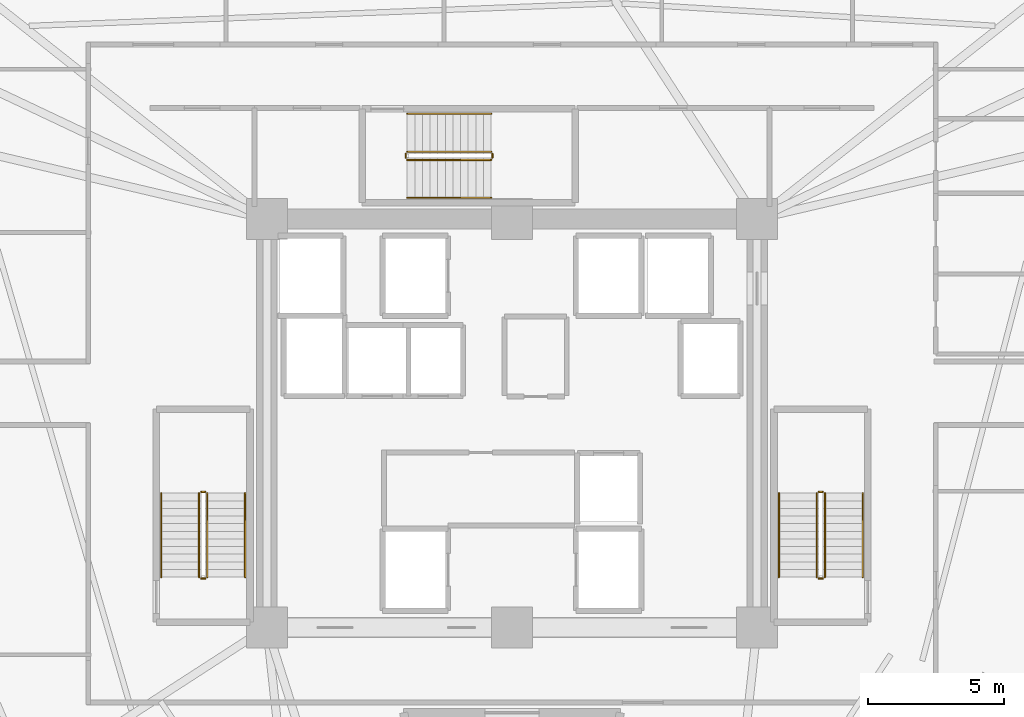
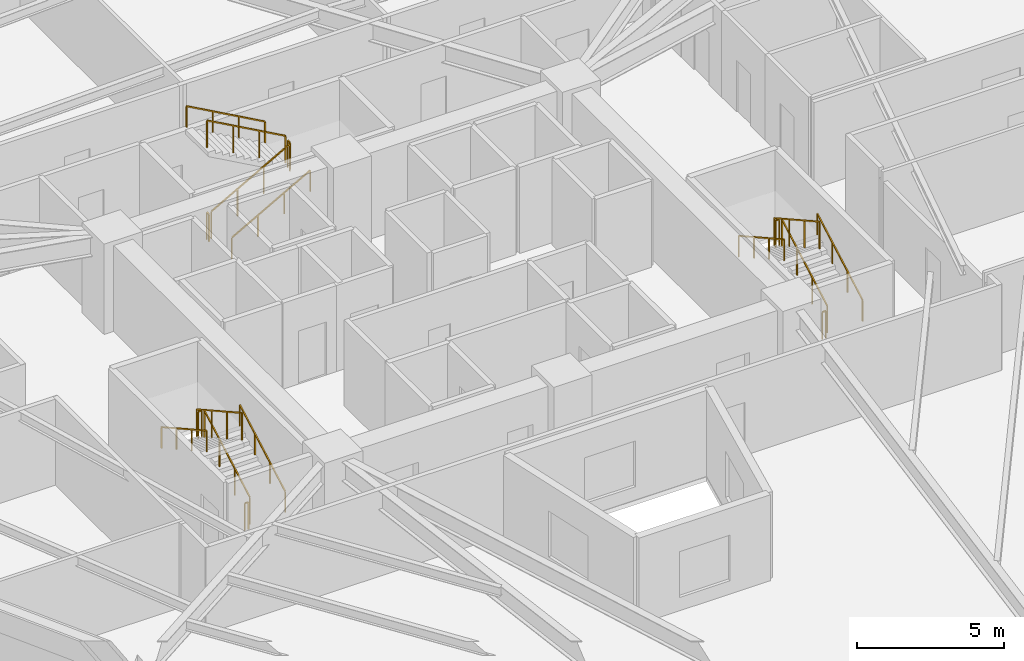
# One storey, part 8 of 8: 18 railings.
"""IFC4 building model written with IfcOpenShell, lengths in metres."""

from ifc_helpers import new_model, si_unit, direction, frame, origin, origin_2d, place, context, subcontext, project, spatial, rectangle, extrude, material, type_object, element, save


model = new_model("IFC4")

# Units and contexts
model_context = context("Model", 3, precision=1e-05, world=origin(), true_north=direction((0.0, 1.0)))
body_context = subcontext(model_context, "Body", "Model", "MODEL_VIEW")
ifc_project = project(units=[si_unit("LENGTHUNIT", "METRE"), si_unit("AREAUNIT", "SQUARE_METRE"), si_unit("VOLUMEUNIT", "CUBIC_METRE"), si_unit("PLANEANGLEUNIT", "RADIAN"), si_unit("MASSUNIT", "GRAM", prefix="KILO")], contexts=[model_context])

# Site, building, storey
site_placement = place(None, origin())
site = spatial("IfcSite", under=ifc_project, at=site_placement, CompositionType="ELEMENT")
building_placement = place(site_placement, origin())
building = spatial("IfcBuilding", under=site, at=building_placement, Name="Liaohun Quay Tower", CompositionType="ELEMENT")
storey_placement = place(building_placement, frame((0.0, 0.0, 155.25)))
storey = spatial("IfcBuildingStorey", under=building, at=storey_placement, Name="L40", CompositionType="ELEMENT", Elevation=155.25)

# Railings
ifc_material_1 = material(Name="Painted tubular steel", Category="steel")
railing_type_1 = type_object("IfcRailingType", Name="RLG-GUARD-STR", PredefinedType="GUARDRAIL", material=ifc_material_1)
railing_1_placement = place(storey_placement, frame((48.81005859375, 48.35009765625, 0.15625)))
element("IfcRailing", 1, at=railing_1_placement, inside=storey, type_object=railing_type_1, Name="L40 ST-1 stair guard 1", PredefinedType="GUARDRAIL", context=body_context, shape_type="SweptSolid", body=[
    extrude(rectangle(XDim=0.048095703125, YDim=0.048095703125, at=origin_2d()), frame((0.0, 0.0, 1.1259765625), z_axis=(0.0, 0.873225103656, 0.487317061414), x_axis=(-1.0, 0.0, 0.0)), (0.0, 0.0, 1.0), 3.52685546875),
    extrude(rectangle(XDim=0.0419921875, YDim=0.0419921875, at=origin_2d()), origin(), (0.0, 0.0, 1.0), 1.101806640625),
    extrude(rectangle(XDim=0.0419921875, YDim=0.0419921875, at=origin_2d()), frame((0.0, 1.026611328125, 0.572998046875)), (0.0, 0.0, 1.0), 1.101806640625),
    extrude(rectangle(XDim=0.0419921875, YDim=0.0419921875, at=origin_2d()), frame((0.0, 2.05322265625, 1.145751953125)), (0.0, 0.0, 1.0), 1.101806640625),
    extrude(rectangle(XDim=0.0419921875, YDim=0.0419921875, at=origin_2d()), frame((0.0, 3.079833984375, 1.71875)), (0.0, 0.0, 1.0), 1.101806640625),
])
railing_2_placement = place(storey_placement, frame((48.72998046875, 51.47998046875, 1.875)))
element("IfcRailing", 2, at=railing_2_placement, inside=storey, type_object=railing_type_1, Name="L40 ST-1 stair guard 2", PredefinedType="GUARDRAIL", context=body_context, shape_type="SweptSolid", body=[
    extrude(rectangle(XDim=0.048095703125, YDim=0.048095703125, at=origin_2d()), frame((0.0, 0.0, 1.1259765625), z_axis=(-1.0, 0.0, 0.0), x_axis=(0.0, -1.0, 0.0)), (0.0, 0.0, 1.0), 0.139892578125),
    extrude(rectangle(XDim=0.0419921875, YDim=0.0419921875, at=origin_2d()), origin(), (0.0, 0.0, 1.0), 1.101806640625),
    extrude(rectangle(XDim=0.0419921875, YDim=0.0419921875, at=origin_2d()), frame((-0.139892578125, 0.0, 0.0)), (0.0, 0.0, 1.0), 1.101806640625),
])
railing_3_placement = place(storey_placement, frame((48.510009765625, 51.429931640625, 2.03125)))
element("IfcRailing", 3, at=railing_3_placement, inside=storey, type_object=railing_type_1, Name="L40 ST-1 stair guard 3", PredefinedType="GUARDRAIL", context=body_context, shape_type="SweptSolid", body=[
    extrude(rectangle(XDim=0.048095703125, YDim=0.048095703125, at=origin_2d()), frame((0.0, 0.0, 1.1259765625), z_axis=(0.0, -0.873225103656, 0.487317061414), x_axis=(1.0, 0.0, 0.0)), (0.0, 0.0, 1.0), 3.52685546875),
    extrude(rectangle(XDim=0.0419921875, YDim=0.0419921875, at=origin_2d()), origin(), (0.0, 0.0, 1.0), 1.101806640625),
    extrude(rectangle(XDim=0.0419921875, YDim=0.0419921875, at=origin_2d()), frame((0.0, -1.026611328125, 0.572998046875)), (0.0, 0.0, 1.0), 1.101806640625),
    extrude(rectangle(XDim=0.0419921875, YDim=0.0419921875, at=origin_2d()), frame((0.0, -2.05322265625, 1.145751953125)), (0.0, 0.0, 1.0), 1.101806640625),
    extrude(rectangle(XDim=0.0419921875, YDim=0.0419921875, at=origin_2d()), frame((0.0, -3.079833984375, 1.71875)), (0.0, 0.0, 1.0), 1.101806640625),
])
railing_4_placement = place(storey_placement, frame((48.72998046875, 48.300048828125, 0.0)))
element("IfcRailing", 4, at=railing_4_placement, inside=storey, type_object=railing_type_1, Name="L40 ST-1 stair guard 4", PredefinedType="GUARDRAIL", context=body_context, shape_type="SweptSolid", body=[
    extrude(rectangle(XDim=0.048095703125, YDim=0.048095703125, at=origin_2d()), frame((0.0, 0.0, 1.1259765625), z_axis=(-1.0, 0.0, 0.0), x_axis=(0.0, -1.0, 0.0)), (0.0, 0.0, 1.0), 0.139892578125),
    extrude(rectangle(XDim=0.0419921875, YDim=0.0419921875, at=origin_2d()), origin(), (0.0, 0.0, 1.0), 1.101806640625),
    extrude(rectangle(XDim=0.0419921875, YDim=0.0419921875, at=origin_2d()), frame((-0.139892578125, 0.0, 0.0)), (0.0, 0.0, 1.0), 1.101806640625),
])
railing_5_placement = place(storey_placement, frame((71.489990234375, 48.35009765625, 0.15625)))
element("IfcRailing", 5, at=railing_5_placement, inside=storey, type_object=railing_type_1, Name="L40 ST-2 stair guard 1", PredefinedType="GUARDRAIL", context=body_context, shape_type="SweptSolid", body=[
    extrude(rectangle(XDim=0.048095703125, YDim=0.048095703125, at=origin_2d()), frame((0.0, 0.0, 1.1259765625), z_axis=(0.0, 0.873225103656, 0.487317061414), x_axis=(-1.0, 0.0, 0.0)), (0.0, 0.0, 1.0), 3.52685546875),
    extrude(rectangle(XDim=0.0419921875, YDim=0.0419921875, at=origin_2d()), origin(), (0.0, 0.0, 1.0), 1.101806640625),
    extrude(rectangle(XDim=0.0419921875, YDim=0.0419921875, at=origin_2d()), frame((0.0, 1.026611328125, 0.572998046875)), (0.0, 0.0, 1.0), 1.101806640625),
    extrude(rectangle(XDim=0.0419921875, YDim=0.0419921875, at=origin_2d()), frame((0.0, 2.05322265625, 1.145751953125)), (0.0, 0.0, 1.0), 1.101806640625),
    extrude(rectangle(XDim=0.0419921875, YDim=0.0419921875, at=origin_2d()), frame((0.0, 3.079833984375, 1.71875)), (0.0, 0.0, 1.0), 1.101806640625),
])
railing_6_placement = place(storey_placement, frame((71.409912109375, 51.47998046875, 1.875)))
element("IfcRailing", 6, at=railing_6_placement, inside=storey, type_object=railing_type_1, Name="L40 ST-2 stair guard 2", PredefinedType="GUARDRAIL", context=body_context, shape_type="SweptSolid", body=[
    extrude(rectangle(XDim=0.048095703125, YDim=0.048095703125, at=origin_2d()), frame((0.0, 0.0, 1.1259765625), z_axis=(-1.0, 0.0, 0.0), x_axis=(0.0, -1.0, 0.0)), (0.0, 0.0, 1.0), 0.139892578125),
    extrude(rectangle(XDim=0.0419921875, YDim=0.0419921875, at=origin_2d()), origin(), (0.0, 0.0, 1.0), 1.101806640625),
    extrude(rectangle(XDim=0.0419921875, YDim=0.0419921875, at=origin_2d()), frame((-0.139892578125, 0.0, 0.0)), (0.0, 0.0, 1.0), 1.101806640625),
])
railing_7_placement = place(storey_placement, frame((71.18994140625, 51.429931640625, 2.03125)))
element("IfcRailing", 7, at=railing_7_placement, inside=storey, type_object=railing_type_1, Name="L40 ST-2 stair guard 3", PredefinedType="GUARDRAIL", context=body_context, shape_type="SweptSolid", body=[
    extrude(rectangle(XDim=0.048095703125, YDim=0.048095703125, at=origin_2d()), frame((0.0, 0.0, 1.1259765625), z_axis=(0.0, -0.873225103656, 0.487317061414), x_axis=(1.0, 0.0, 0.0)), (0.0, 0.0, 1.0), 3.52685546875),
    extrude(rectangle(XDim=0.0419921875, YDim=0.0419921875, at=origin_2d()), origin(), (0.0, 0.0, 1.0), 1.101806640625),
    extrude(rectangle(XDim=0.0419921875, YDim=0.0419921875, at=origin_2d()), frame((0.0, -1.026611328125, 0.572998046875)), (0.0, 0.0, 1.0), 1.101806640625),
    extrude(rectangle(XDim=0.0419921875, YDim=0.0419921875, at=origin_2d()), frame((0.0, -2.05322265625, 1.145751953125)), (0.0, 0.0, 1.0), 1.101806640625),
    extrude(rectangle(XDim=0.0419921875, YDim=0.0419921875, at=origin_2d()), frame((0.0, -3.079833984375, 1.71875)), (0.0, 0.0, 1.0), 1.101806640625),
])
railing_8_placement = place(storey_placement, frame((71.409912109375, 48.300048828125, 0.0)))
element("IfcRailing", 8, at=railing_8_placement, inside=storey, type_object=railing_type_1, Name="L40 ST-2 stair guard 4", PredefinedType="GUARDRAIL", context=body_context, shape_type="SweptSolid", body=[
    extrude(rectangle(XDim=0.048095703125, YDim=0.048095703125, at=origin_2d()), frame((0.0, 0.0, 1.1259765625), z_axis=(-1.0, 0.0, 0.0), x_axis=(0.0, -1.0, 0.0)), (0.0, 0.0, 1.0), 0.139892578125),
    extrude(rectangle(XDim=0.0419921875, YDim=0.0419921875, at=origin_2d()), origin(), (0.0, 0.0, 1.0), 1.101806640625),
    extrude(rectangle(XDim=0.0419921875, YDim=0.0419921875, at=origin_2d()), frame((-0.139892578125, 0.0, 0.0)), (0.0, 0.0, 1.0), 1.101806640625),
])
railing_9_placement = place(storey_placement, frame((56.14990234375, 63.669921875, 0.15625)))
element("IfcRailing", 9, at=railing_9_placement, inside=storey, type_object=railing_type_1, Name="L40 ST-3 stair guard 1", PredefinedType="GUARDRAIL", context=body_context, shape_type="SweptSolid", body=[
    extrude(rectangle(XDim=0.048095703125, YDim=0.048095703125, at=origin_2d()), frame((0.0, 0.0, 1.1259765625), z_axis=(0.873241540666, 0.0, 0.487287606713), x_axis=(0.0, 1.0, 0.0)), (0.0, 0.0, 1.0), 3.527099609375),
    extrude(rectangle(XDim=0.0419921875, YDim=0.0419921875, at=origin_2d()), origin(), (0.0, 0.0, 1.0), 1.101806640625),
    extrude(rectangle(XDim=0.0419921875, YDim=0.0419921875, at=origin_2d()), frame((1.026611328125, 0.0, 0.572998046875)), (0.0, 0.0, 1.0), 1.101806640625),
    extrude(rectangle(XDim=0.0419921875, YDim=0.0419921875, at=origin_2d()), frame((2.053466796875, 0.0, 1.145751953125)), (0.0, 0.0, 1.0), 1.101806640625),
    extrude(rectangle(XDim=0.0419921875, YDim=0.0419921875, at=origin_2d()), frame((3.080078125, 0.0, 1.71875)), (0.0, 0.0, 1.0), 1.101806640625),
])
railing_10_placement = place(storey_placement, frame((59.280029296875, 63.75, 1.875)))
element("IfcRailing", 10, at=railing_10_placement, inside=storey, type_object=railing_type_1, Name="L40 ST-3 stair guard 2", PredefinedType="GUARDRAIL", context=body_context, shape_type="SweptSolid", body=[
    extrude(rectangle(XDim=0.048095703125, YDim=0.048095703125, at=origin_2d()), frame((0.0, 0.0, 1.1259765625), z_axis=(0.0, 1.0, 0.0), x_axis=(-1.0, 0.0, 0.0)), (0.0, 0.0, 1.0), 0.139892578125),
    extrude(rectangle(XDim=0.0419921875, YDim=0.0419921875, at=origin_2d()), origin(), (0.0, 0.0, 1.0), 1.101806640625),
    extrude(rectangle(XDim=0.0419921875, YDim=0.0419921875, at=origin_2d()), frame((0.0, 0.139892578125, 0.0)), (0.0, 0.0, 1.0), 1.101806640625),
])
railing_11_placement = place(storey_placement, frame((59.22998046875, 63.969970703125, 2.03125)))
element("IfcRailing", 11, at=railing_11_placement, inside=storey, type_object=railing_type_1, Name="L40 ST-3 stair guard 3", PredefinedType="GUARDRAIL", context=body_context, shape_type="SweptSolid", body=[
    extrude(rectangle(XDim=0.048095703125, YDim=0.048095703125, at=origin_2d()), frame((0.0, 0.0, 1.1259765625), z_axis=(-0.873241540666, 0.0, 0.487287606713), x_axis=(0.0, -1.0, 0.0)), (0.0, 0.0, 1.0), 3.527099609375),
    extrude(rectangle(XDim=0.0419921875, YDim=0.0419921875, at=origin_2d()), origin(), (0.0, 0.0, 1.0), 1.101806640625),
    extrude(rectangle(XDim=0.0419921875, YDim=0.0419921875, at=origin_2d()), frame((-1.026611328125, 0.0, 0.572998046875)), (0.0, 0.0, 1.0), 1.101806640625),
    extrude(rectangle(XDim=0.0419921875, YDim=0.0419921875, at=origin_2d()), frame((-2.053466796875, 0.0, 1.145751953125)), (0.0, 0.0, 1.0), 1.101806640625),
    extrude(rectangle(XDim=0.0419921875, YDim=0.0419921875, at=origin_2d()), frame((-3.080078125, 0.0, 1.71875)), (0.0, 0.0, 1.0), 1.101806640625),
])
railing_12_placement = place(storey_placement, frame((56.10009765625, 63.75, 0.0)))
element("IfcRailing", 12, at=railing_12_placement, inside=storey, type_object=railing_type_1, Name="L40 ST-3 stair guard 4", PredefinedType="GUARDRAIL", context=body_context, shape_type="SweptSolid", body=[
    extrude(rectangle(XDim=0.048095703125, YDim=0.048095703125, at=origin_2d()), frame((0.0, 0.0, 1.1259765625), z_axis=(0.0, 1.0, 0.0), x_axis=(-1.0, 0.0, 0.0)), (0.0, 0.0, 1.0), 0.139892578125),
    extrude(rectangle(XDim=0.0419921875, YDim=0.0419921875, at=origin_2d()), origin(), (0.0, 0.0, 1.0), 1.101806640625),
    extrude(rectangle(XDim=0.0419921875, YDim=0.0419921875, at=origin_2d()), frame((0.0, 0.139892578125, 0.0)), (0.0, 0.0, 1.0), 1.101806640625),
])
ifc_material_2 = material(Name="Brushed stainless steel", Category="steel")
railing_type_2 = type_object("IfcRailingType", Name="RLG-HND-STR", PredefinedType="HANDRAIL", material=ifc_material_2)
railing_13_placement = place(storey_placement, frame((50.199951171875, 48.35009765625, 0.15625)))
element("IfcRailing", 13, at=railing_13_placement, inside=storey, type_object=railing_type_2, Name="L40 ST-1 stair handrail 1", PredefinedType="HANDRAIL", context=body_context, shape_type="SweptSolid", body=[
    extrude(rectangle(XDim=0.048095703125, YDim=0.048095703125, at=origin_2d()), frame((0.0, 0.0, 0.8759765625), z_axis=(0.0, 0.873225103656, 0.487317061414), x_axis=(-1.0, 0.0, 0.0)), (0.0, 0.0, 1.0), 3.52685546875),
    extrude(rectangle(XDim=0.0419921875, YDim=0.0419921875, at=origin_2d()), origin(), (0.0, 0.0, 1.0), 0.851806640625),
    extrude(rectangle(XDim=0.0419921875, YDim=0.0419921875, at=origin_2d()), frame((0.0, 1.026611328125, 0.572998046875)), (0.0, 0.0, 1.0), 0.851806640625),
    extrude(rectangle(XDim=0.0419921875, YDim=0.0419921875, at=origin_2d()), frame((0.0, 2.05322265625, 1.145751953125)), (0.0, 0.0, 1.0), 0.851806640625),
    extrude(rectangle(XDim=0.0419921875, YDim=0.0419921875, at=origin_2d()), frame((0.0, 3.079833984375, 1.71875)), (0.0, 0.0, 1.0), 0.851806640625),
])
railing_14_placement = place(storey_placement, frame((47.1201171875, 51.429931640625, 2.03125)))
element("IfcRailing", 14, at=railing_14_placement, inside=storey, type_object=railing_type_2, Name="L40 ST-1 stair handrail 2", PredefinedType="HANDRAIL", context=body_context, shape_type="SweptSolid", body=[
    extrude(rectangle(XDim=0.048095703125, YDim=0.048095703125, at=origin_2d()), frame((0.0, 0.0, 0.8759765625), z_axis=(0.0, -0.873225103656, 0.487317061414), x_axis=(1.0, 0.0, 0.0)), (0.0, 0.0, 1.0), 3.52685546875),
    extrude(rectangle(XDim=0.0419921875, YDim=0.0419921875, at=origin_2d()), origin(), (0.0, 0.0, 1.0), 0.851806640625),
    extrude(rectangle(XDim=0.0419921875, YDim=0.0419921875, at=origin_2d()), frame((0.0, -1.026611328125, 0.572998046875)), (0.0, 0.0, 1.0), 0.851806640625),
    extrude(rectangle(XDim=0.0419921875, YDim=0.0419921875, at=origin_2d()), frame((0.0, -2.05322265625, 1.145751953125)), (0.0, 0.0, 1.0), 0.851806640625),
    extrude(rectangle(XDim=0.0419921875, YDim=0.0419921875, at=origin_2d()), frame((0.0, -3.079833984375, 1.71875)), (0.0, 0.0, 1.0), 0.851806640625),
])
railing_15_placement = place(storey_placement, frame((72.8798828125, 48.35009765625, 0.15625)))
element("IfcRailing", 15, at=railing_15_placement, inside=storey, type_object=railing_type_2, Name="L40 ST-2 stair handrail 1", PredefinedType="HANDRAIL", context=body_context, shape_type="SweptSolid", body=[
    extrude(rectangle(XDim=0.048095703125, YDim=0.048095703125, at=origin_2d()), frame((0.0, 0.0, 0.8759765625), z_axis=(0.0, 0.873225103656, 0.487317061414), x_axis=(-1.0, 0.0, 0.0)), (0.0, 0.0, 1.0), 3.52685546875),
    extrude(rectangle(XDim=0.0419921875, YDim=0.0419921875, at=origin_2d()), origin(), (0.0, 0.0, 1.0), 0.851806640625),
    extrude(rectangle(XDim=0.0419921875, YDim=0.0419921875, at=origin_2d()), frame((0.0, 1.026611328125, 0.572998046875)), (0.0, 0.0, 1.0), 0.851806640625),
    extrude(rectangle(XDim=0.0419921875, YDim=0.0419921875, at=origin_2d()), frame((0.0, 2.05322265625, 1.145751953125)), (0.0, 0.0, 1.0), 0.851806640625),
    extrude(rectangle(XDim=0.0419921875, YDim=0.0419921875, at=origin_2d()), frame((0.0, 3.079833984375, 1.71875)), (0.0, 0.0, 1.0), 0.851806640625),
])
railing_16_placement = place(storey_placement, frame((69.800048828125, 51.429931640625, 2.03125)))
element("IfcRailing", 16, at=railing_16_placement, inside=storey, type_object=railing_type_2, Name="L40 ST-2 stair handrail 2", PredefinedType="HANDRAIL", context=body_context, shape_type="SweptSolid", body=[
    extrude(rectangle(XDim=0.048095703125, YDim=0.048095703125, at=origin_2d()), frame((0.0, 0.0, 0.8759765625), z_axis=(0.0, -0.873225103656, 0.487317061414), x_axis=(1.0, 0.0, 0.0)), (0.0, 0.0, 1.0), 3.52685546875),
    extrude(rectangle(XDim=0.0419921875, YDim=0.0419921875, at=origin_2d()), origin(), (0.0, 0.0, 1.0), 0.851806640625),
    extrude(rectangle(XDim=0.0419921875, YDim=0.0419921875, at=origin_2d()), frame((0.0, -1.026611328125, 0.572998046875)), (0.0, 0.0, 1.0), 0.851806640625),
    extrude(rectangle(XDim=0.0419921875, YDim=0.0419921875, at=origin_2d()), frame((0.0, -2.05322265625, 1.145751953125)), (0.0, 0.0, 1.0), 0.851806640625),
    extrude(rectangle(XDim=0.0419921875, YDim=0.0419921875, at=origin_2d()), frame((0.0, -3.079833984375, 1.71875)), (0.0, 0.0, 1.0), 0.851806640625),
])
railing_17_placement = place(storey_placement, frame((56.14990234375, 62.280029296875, 0.15625)))
element("IfcRailing", 17, at=railing_17_placement, inside=storey, type_object=railing_type_2, Name="L40 ST-3 stair handrail 1", PredefinedType="HANDRAIL", context=body_context, shape_type="SweptSolid", body=[
    extrude(rectangle(XDim=0.048095703125, YDim=0.048095703125, at=origin_2d()), frame((0.0, 0.0, 0.8759765625), z_axis=(0.873241540666, 0.0, 0.487287606713), x_axis=(0.0, 1.0, 0.0)), (0.0, 0.0, 1.0), 3.527099609375),
    extrude(rectangle(XDim=0.0419921875, YDim=0.0419921875, at=origin_2d()), origin(), (0.0, 0.0, 1.0), 0.851806640625),
    extrude(rectangle(XDim=0.0419921875, YDim=0.0419921875, at=origin_2d()), frame((1.026611328125, 0.0, 0.572998046875)), (0.0, 0.0, 1.0), 0.851806640625),
    extrude(rectangle(XDim=0.0419921875, YDim=0.0419921875, at=origin_2d()), frame((2.053466796875, 0.0, 1.145751953125)), (0.0, 0.0, 1.0), 0.851806640625),
    extrude(rectangle(XDim=0.0419921875, YDim=0.0419921875, at=origin_2d()), frame((3.080078125, 0.0, 1.71875)), (0.0, 0.0, 1.0), 0.851806640625),
])
railing_18_placement = place(storey_placement, frame((59.22998046875, 65.360107421875, 2.03125)))
element("IfcRailing", 18, at=railing_18_placement, inside=storey, type_object=railing_type_2, Name="L40 ST-3 stair handrail 2", PredefinedType="HANDRAIL", context=body_context, shape_type="SweptSolid", body=[
    extrude(rectangle(XDim=0.048095703125, YDim=0.048095703125, at=origin_2d()), frame((0.0, 0.0, 0.8759765625), z_axis=(-0.873241540666, 0.0, 0.487287606713), x_axis=(0.0, -1.0, 0.0)), (0.0, 0.0, 1.0), 3.527099609375),
    extrude(rectangle(XDim=0.0419921875, YDim=0.0419921875, at=origin_2d()), origin(), (0.0, 0.0, 1.0), 0.851806640625),
    extrude(rectangle(XDim=0.0419921875, YDim=0.0419921875, at=origin_2d()), frame((-1.026611328125, 0.0, 0.572998046875)), (0.0, 0.0, 1.0), 0.851806640625),
    extrude(rectangle(XDim=0.0419921875, YDim=0.0419921875, at=origin_2d()), frame((-2.053466796875, 0.0, 1.145751953125)), (0.0, 0.0, 1.0), 0.851806640625),
    extrude(rectangle(XDim=0.0419921875, YDim=0.0419921875, at=origin_2d()), frame((-3.080078125, 0.0, 1.71875)), (0.0, 0.0, 1.0), 0.851806640625),
])

save(model, "model.ifc")
